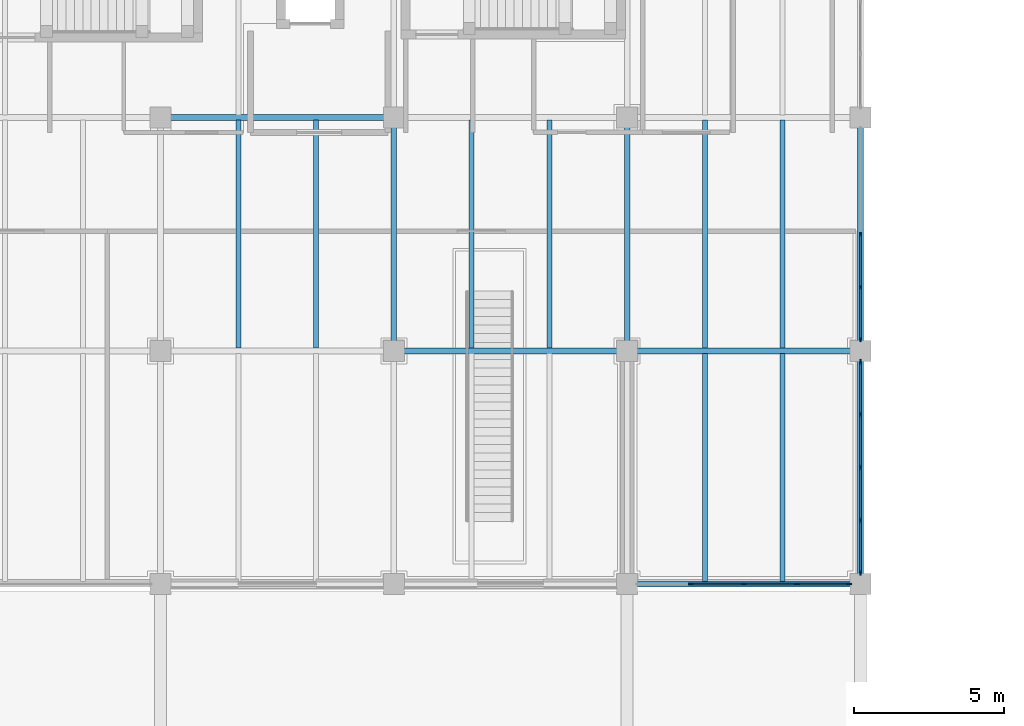
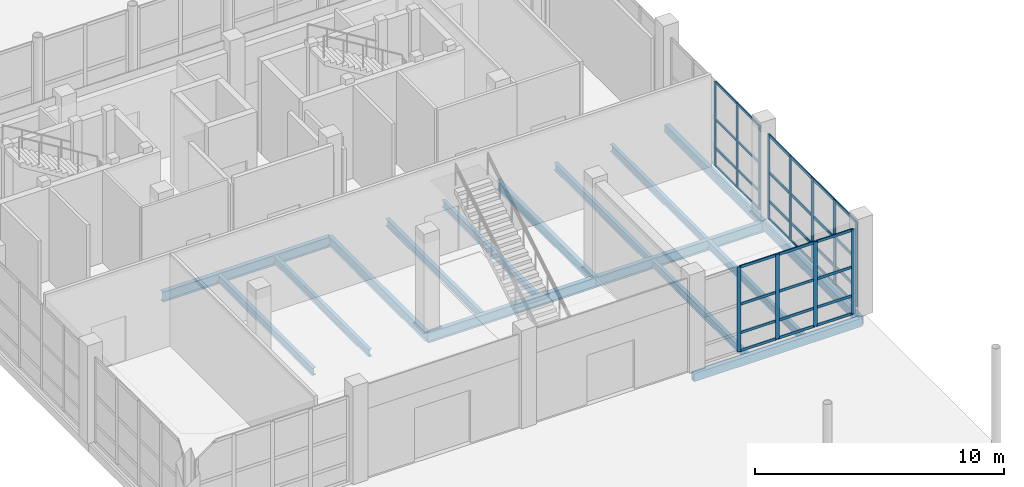
# One storey, part 37 of 131: 48 members, 16 beams, 3 elements without a shape of their own.
"""IFC4 building model written with IfcOpenShell, lengths in metres."""

from ifc_helpers import new_model, si_unit, direction, frame, origin, origin_2d, place, context, subcontext, project, spatial, rectangle, hollow_rectangle, i_section, extrude, material, layer, layer_set, material_profile, profile_set, type_object, element, aggregate, save


model = new_model("IFC4")

# Units and contexts
model_context = context("Model", 3, precision=1e-05, world=origin(), true_north=direction((0.0, 1.0)))
body_context = subcontext(model_context, "Body", "Model", "MODEL_VIEW")
ifc_project = project(units=[si_unit("LENGTHUNIT", "METRE"), si_unit("AREAUNIT", "SQUARE_METRE"), si_unit("VOLUMEUNIT", "CUBIC_METRE"), si_unit("PLANEANGLEUNIT", "RADIAN"), si_unit("MASSUNIT", "GRAM", prefix="KILO")], contexts=[model_context])

# Site, building, storey
site_placement = place(None, origin())
site = spatial("IfcSite", under=ifc_project, at=site_placement, CompositionType="ELEMENT")
building_placement = place(site_placement, origin())
building = spatial("IfcBuilding", under=site, at=building_placement, Name="Celorna Specialist Clinic", CompositionType="ELEMENT")
storey_placement = place(building_placement, origin())
storey = spatial("IfcBuildingStorey", under=building, at=storey_placement, Name="L00", CompositionType="ELEMENT", Elevation=0.0)

# Beams
ifc_material_1 = material(Name="Steel S355", Category="steel")
ifc_material_profile_1 = material_profile(ifc_material_1, i_section(OverallWidth=0.199951171875, OverallDepth=0.5, WebThickness=0.01025390625, FlangeThickness=0.01611328125, at=origin_2d()), Name="IPE 500")
ifc_profile_set_1 = profile_set([ifc_material_profile_1], Name="Steel S355")
beam_type_1 = type_object("IfcBeamType", Name="BM-08", PredefinedType="BEAM", material=ifc_profile_set_1)
for number, where, z_axis, x_axis, name in (
    (1, (70.199951171875, 27.300048828125, -0.550048828125), (1.0, 0.0, 0.0), (0.0, 1.0, 0.0), "Primary girder BM-08 #2020"),
    (2, (78.0, 27.300048828125, -0.550048828125), (1.0, 0.0, 0.0), (0.0, 1.0, 0.0), "Primary girder BM-08 #2021"),
    (3, (62.39990234375, 35.10009765625, -0.550048828125), (1.0, 0.0, 0.0), (0.0, 1.0, 0.0), "Primary girder BM-08 #2023"),
):
    element("IfcBeam", number, at=place(storey_placement, frame(where, z_axis=z_axis, x_axis=x_axis)), inside=storey, type_object=beam_type_1, Name=name, PredefinedType="BEAM", context=body_context, shape_type="SweptSolid", body=[
        extrude(i_section(OverallWidth=0.199951171875, OverallDepth=0.5, WebThickness=0.01025390625, FlangeThickness=0.01611328125, at=origin_2d()), origin(), (0.0, 0.0, 1.0), 7.800048828125),
    ])
ifc_material_profile_2 = material_profile(ifc_material_1, i_section(OverallWidth=0.18994140625, OverallDepth=0.449951171875, WebThickness=0.009521484375, FlangeThickness=0.0146484375, at=origin_2d()), Name="IPE 450")
ifc_profile_set_2 = profile_set([ifc_material_profile_2], Name="Steel S355")
beam_type_2 = type_object("IfcBeamType", Name="BM-09", PredefinedType="BEAM", material=ifc_profile_set_2)
for number, where, z_axis, x_axis, name in (
    (4, (70.199951171875, 27.300048828125, -0.52490234375), (0.0, 1.0, 0.0), (-1.0, 0.0, 0.0), "Transverse girder BM-09 #2036"),
    (5, (78.0, 27.300048828125, -0.52490234375), (0.0, 1.0, 0.0), (-1.0, 0.0, 0.0), "Transverse girder BM-09 #2039"),
):
    element("IfcBeam", number, at=place(storey_placement, frame(where, z_axis=z_axis, x_axis=x_axis)), inside=storey, type_object=beam_type_2, Name=name, PredefinedType="BEAM", context=body_context, shape_type="SweptSolid", body=[
        extrude(i_section(OverallWidth=0.18994140625, OverallDepth=0.449951171875, WebThickness=0.009521484375, FlangeThickness=0.0146484375, at=origin_2d()), origin(), (0.0, 0.0, 1.0), 7.800048828125),
    ])
ifc_material_profile_3 = material_profile(ifc_material_1, i_section(OverallWidth=0.169921875, OverallDepth=0.360107421875, WebThickness=0.008056640625, FlangeThickness=0.0126953125, at=origin_2d()), Name="IPE 360")
ifc_profile_set_3 = profile_set([ifc_material_profile_3], Name="Steel S355")
beam_type_3 = type_object("IfcBeamType", Name="BM-11", PredefinedType="JOIST", material=ifc_profile_set_3)
for number, where, z_axis, x_axis, name in (
    (6, (65.0, 27.387939453125, -0.47998046875), (0.0, 1.0, 0.0), (-1.0, 0.0, 0.0), "Secondary floor joist BM-11 #2051"),
    (7, (67.60009765625, 27.387939453125, -0.47998046875), (0.0, 1.0, 0.0), (-1.0, 0.0, 0.0), "Secondary floor joist BM-11 #2052"),
    (8, (72.800048828125, 27.387939453125, -0.47998046875), (0.0, 1.0, 0.0), (-1.0, 0.0, 0.0), "Secondary floor joist BM-11 #2056"),
    (9, (75.39990234375, 27.387939453125, -0.47998046875), (0.0, 1.0, 0.0), (-1.0, 0.0, 0.0), "Secondary floor joist BM-11 #2057"),
    (10, (80.60009765625, 19.587890625, -0.47998046875), (0.0, 1.0, 0.0), (-1.0, 0.0, 0.0), "Secondary floor joist BM-11 #2058"),
    (11, (83.199951171875, 19.587890625, -0.47998046875), (0.0, 1.0, 0.0), (-1.0, 0.0, 0.0), "Secondary floor joist BM-11 #2059"),
    (12, (80.60009765625, 27.387939453125, -0.47998046875), (0.0, 1.0, 0.0), (-1.0, 0.0, 0.0), "Secondary floor joist BM-11 #2060"),
    (13, (83.199951171875, 27.387939453125, -0.47998046875), (0.0, 1.0, 0.0), (-1.0, 0.0, 0.0), "Secondary floor joist BM-11 #2061"),
):
    element("IfcBeam", number, at=place(storey_placement, frame(where, z_axis=z_axis, x_axis=x_axis)), inside=storey, type_object=beam_type_3, Name=name, PredefinedType="JOIST", context=body_context, shape_type="SweptSolid", body=[
        extrude(i_section(OverallWidth=0.169921875, OverallDepth=0.360107421875, WebThickness=0.008056640625, FlangeThickness=0.0126953125, at=origin_2d()), origin(), (0.0, 0.0, 1.0), 7.6240234375),
    ])
ifc_material_profile_4 = material_profile(ifc_material_1, hollow_rectangle(XDim=0.199951171875, YDim=0.39990234375, WallThickness=0.011962890625, at=origin_2d()), Name="RHS 200x400x12")
ifc_profile_set_4 = profile_set([ifc_material_profile_4], Name="Steel S355")
beam_type_4 = type_object("IfcBeamType", Name="BM-15", PredefinedType="SPANDREL", material=ifc_profile_set_4)
for number, where, z_axis, x_axis, name in (
    (14, (78.0, 19.5, -0.5), (1.0, 0.0, 0.0), (0.0, 1.0, 0.0), "Spandrel beam BM-15 #2017"),
    (15, (85.800048828125, 19.5, -0.5), (0.0, 1.0, 0.0), (-1.0, 0.0, 0.0), "Spandrel beam BM-15 #2041"),
    (16, (85.800048828125, 27.300048828125, -0.5), (0.0, 1.0, 0.0), (-1.0, 0.0, 0.0), "Spandrel beam BM-15 #2042"),
):
    element("IfcBeam", number, at=place(storey_placement, frame(where, z_axis=z_axis, x_axis=x_axis)), inside=storey, type_object=beam_type_4, Name=name, PredefinedType="SPANDREL", context=body_context, shape_type="SweptSolid", body=[
        extrude(hollow_rectangle(XDim=0.199951171875, YDim=0.39990234375, WallThickness=0.011962890625, at=origin_2d()), origin(), (0.0, 0.0, 1.0), 7.800048828125),
    ])

# Curtain wall, members
ifc_material_2 = material(Name="Thermally broken aluminium and solar-control glass curtain wall", Category="aluminium")
ifc_layer_1 = layer(ifc_material_2, 0.159912109375, Name="Thermally broken aluminium and solar-control glass curtain wall")
ifc_layer_set_1 = layer_set([ifc_layer_1], Name="Thermally broken aluminium and solar-control glass curtain wall")
curtain_wall_type_1 = type_object("IfcCurtainWallType", Name="CW-102", PredefinedType="NOTDEFINED", material=ifc_layer_set_1)
curtain_wall_1_placement = place(storey_placement, origin())
curtain_wall_1 = element("IfcCurtainWall", 17, at=curtain_wall_1_placement, inside=storey, type_object=curtain_wall_type_1, Name="Curtain wall CW-102 #180", PredefinedType="NOTDEFINED")
ifc_material_3 = material(Name="Anodized aluminium mullion", Category="aluminium")
ifc_material_profile_5 = material_profile(ifc_material_3, rectangle(XDim=0.050048828125, YDim=0.179931640625, at=origin_2d()), Name="ALU MULLION 50x180")
ifc_profile_set_5 = profile_set([ifc_material_profile_5], Name="Anodized aluminium mullion")
member_type_1 = type_object("IfcMemberType", Name="ML-02", PredefinedType="MULLION", material=ifc_profile_set_5)
member_1_placement = place(storey_placement, frame((85.4208984375, 19.5, 0.0), z_axis=(0.0, 0.0, 1.0), x_axis=(0.0, -1.0, 0.0)))
member_1 = element("IfcMember", 18, at=member_1_placement, type_object=member_type_1, Name="CW-102 mullion 1", PredefinedType="MULLION", context=body_context, shape_type="SweptSolid", body=[
    extrude(rectangle(XDim=0.050048828125, YDim=0.179931640625, at=origin_2d()), origin(), (0.0, 0.0, 1.0), 4.139892578125),
])
member_2_placement = place(storey_placement, frame((83.673095703125, 19.5, 0.0), z_axis=(0.0, 0.0, 1.0), x_axis=(0.0, -1.0, 0.0)))
member_2 = element("IfcMember", 19, at=member_2_placement, type_object=member_type_1, Name="CW-102 mullion 2", PredefinedType="MULLION", context=body_context, shape_type="SweptSolid", body=[
    extrude(rectangle(XDim=0.050048828125, YDim=0.179931640625, at=origin_2d()), origin(), (0.0, 0.0, 1.0), 4.139892578125),
])
member_3_placement = place(storey_placement, frame((81.89990234375, 19.5, 0.0), z_axis=(0.0, 0.0, 1.0), x_axis=(0.0, -1.0, 0.0)))
member_3 = element("IfcMember", 20, at=member_3_placement, type_object=member_type_1, Name="CW-102 mullion 3", PredefinedType="MULLION", context=body_context, shape_type="SweptSolid", body=[
    extrude(rectangle(XDim=0.050048828125, YDim=0.179931640625, at=origin_2d()), origin(), (0.0, 0.0, 1.0), 4.139892578125),
])
member_4_placement = place(storey_placement, frame((80.126953125, 19.5, 0.0), z_axis=(0.0, 0.0, 1.0), x_axis=(0.0, -1.0, 0.0)))
member_4 = element("IfcMember", 21, at=member_4_placement, type_object=member_type_1, Name="CW-102 mullion 4", PredefinedType="MULLION", context=body_context, shape_type="SweptSolid", body=[
    extrude(rectangle(XDim=0.050048828125, YDim=0.179931640625, at=origin_2d()), origin(), (0.0, 0.0, 1.0), 4.139892578125),
])

curtain_wall_2_placement = place(storey_placement, origin())
curtain_wall_2 = element("IfcCurtainWall", 22, at=curtain_wall_2_placement, inside=storey, type_object=curtain_wall_type_1, Name="Curtain wall CW-102 #183", PredefinedType="NOTDEFINED")
member_5_placement = place(storey_placement, frame((85.800048828125, 26.9208984375, 0.0), z_axis=(0.0, 0.0, 1.0), x_axis=(1.0, 0.0, 0.0)))
member_5 = element("IfcMember", 23, at=member_5_placement, type_object=member_type_1, Name="CW-102 mullion 1", PredefinedType="MULLION", context=body_context, shape_type="SweptSolid", body=[
    extrude(rectangle(XDim=0.050048828125, YDim=0.179931640625, at=origin_2d()), origin(), (0.0, 0.0, 1.0), 4.139892578125),
])
member_6_placement = place(storey_placement, frame((85.800048828125, 25.173095703125, 0.0), z_axis=(0.0, 0.0, 1.0), x_axis=(1.0, 0.0, 0.0)))
member_6 = element("IfcMember", 24, at=member_6_placement, type_object=member_type_1, Name="CW-102 mullion 2", PredefinedType="MULLION", context=body_context, shape_type="SweptSolid", body=[
    extrude(rectangle(XDim=0.050048828125, YDim=0.179931640625, at=origin_2d()), origin(), (0.0, 0.0, 1.0), 4.139892578125),
])
member_7_placement = place(storey_placement, frame((85.800048828125, 23.39990234375, 0.0), z_axis=(0.0, 0.0, 1.0), x_axis=(1.0, 0.0, 0.0)))
member_7 = element("IfcMember", 25, at=member_7_placement, type_object=member_type_1, Name="CW-102 mullion 3", PredefinedType="MULLION", context=body_context, shape_type="SweptSolid", body=[
    extrude(rectangle(XDim=0.050048828125, YDim=0.179931640625, at=origin_2d()), origin(), (0.0, 0.0, 1.0), 4.139892578125),
])
member_8_placement = place(storey_placement, frame((85.800048828125, 21.626953125, 0.0), z_axis=(0.0, 0.0, 1.0), x_axis=(1.0, 0.0, 0.0)))
member_8 = element("IfcMember", 26, at=member_8_placement, type_object=member_type_1, Name="CW-102 mullion 4", PredefinedType="MULLION", context=body_context, shape_type="SweptSolid", body=[
    extrude(rectangle(XDim=0.050048828125, YDim=0.179931640625, at=origin_2d()), origin(), (0.0, 0.0, 1.0), 4.139892578125),
])
member_9_placement = place(storey_placement, frame((85.800048828125, 19.87890625, 0.0), z_axis=(0.0, 0.0, 1.0), x_axis=(1.0, 0.0, 0.0)))
member_9 = element("IfcMember", 27, at=member_9_placement, type_object=member_type_1, Name="CW-102 mullion 5", PredefinedType="MULLION", context=body_context, shape_type="SweptSolid", body=[
    extrude(rectangle(XDim=0.050048828125, YDim=0.179931640625, at=origin_2d()), origin(), (0.0, 0.0, 1.0), 4.139892578125),
])

ifc_layer_2 = layer(ifc_material_2, 0.159912109375, Name="Thermally broken aluminium and solar-control glass curtain wall")
ifc_layer_set_2 = layer_set([ifc_layer_2], Name="Thermally broken aluminium and solar-control glass curtain wall")
curtain_wall_type_2 = type_object("IfcCurtainWallType", Name="CW-103", PredefinedType="NOTDEFINED", material=ifc_layer_set_2)
curtain_wall_3_placement = place(storey_placement, origin())
curtain_wall_3 = element("IfcCurtainWall", 28, at=curtain_wall_3_placement, inside=storey, type_object=curtain_wall_type_2, Name="Curtain wall CW-103 #184", PredefinedType="NOTDEFINED")
ifc_material_profile_6 = material_profile(ifc_material_3, rectangle(XDim=0.050048828125, YDim=0.139892578125, at=origin_2d()), Name="ALU MULLION 50x140")
ifc_profile_set_6 = profile_set([ifc_material_profile_6], Name="Anodized aluminium mullion")
member_type_2 = type_object("IfcMemberType", Name="ML-03", PredefinedType="MULLION", material=ifc_profile_set_6)
member_10_placement = place(storey_placement, frame((85.800048828125, 31.199951171875, 0.0), z_axis=(0.0, 0.0, 1.0), x_axis=(1.0, 0.0, 0.0)))
member_10 = element("IfcMember", 29, at=member_10_placement, type_object=member_type_2, Name="CW-103 mullion 3", PredefinedType="MULLION", context=body_context, shape_type="SweptSolid", body=[
    extrude(rectangle(XDim=0.050048828125, YDim=0.139892578125, at=origin_2d()), origin(), (0.0, 0.0, 1.0), 4.139892578125),
])
member_11_placement = place(storey_placement, frame((85.800048828125, 29.427001953125, 0.0), z_axis=(0.0, 0.0, 1.0), x_axis=(1.0, 0.0, 0.0)))
member_11 = element("IfcMember", 30, at=member_11_placement, type_object=member_type_2, Name="CW-103 mullion 4", PredefinedType="MULLION", context=body_context, shape_type="SweptSolid", body=[
    extrude(rectangle(XDim=0.050048828125, YDim=0.139892578125, at=origin_2d()), origin(), (0.0, 0.0, 1.0), 4.139892578125),
])
member_12_placement = place(storey_placement, frame((85.800048828125, 27.678955078125, 0.0), z_axis=(0.0, 0.0, 1.0), x_axis=(1.0, 0.0, 0.0)))
member_12 = element("IfcMember", 31, at=member_12_placement, type_object=member_type_2, Name="CW-103 mullion 5", PredefinedType="MULLION", context=body_context, shape_type="SweptSolid", body=[
    extrude(rectangle(XDim=0.050048828125, YDim=0.139892578125, at=origin_2d()), origin(), (0.0, 0.0, 1.0), 4.139892578125),
])

# Member
ifc_material_4 = material(Name="Anodized aluminium transom", Category="aluminium")
ifc_material_profile_7 = material_profile(ifc_material_4, rectangle(XDim=0.050048828125, YDim=0.1298828125, at=origin_2d()), Name="ALU TRANSOM 50x130")
ifc_profile_set_7 = profile_set([ifc_material_profile_7], Name="Anodized aluminium transom")
member_type_3 = type_object("IfcMemberType", Name="TR-01", PredefinedType="USERDEFINED", material=ifc_profile_set_7)
member_13_placement = place(storey_placement, frame((85.39599609375, 19.5, 0.02490234375), z_axis=(-1.0, 0.0, 0.0), x_axis=(0.0, -1.0, 0.0)))
member_13 = element("IfcMember", 32, at=member_13_placement, type_object=member_type_3, Name="CW-102 transom 1.1", ObjectType="TRANSOM", PredefinedType="USERDEFINED", context=body_context, shape_type="SweptSolid", body=[
    extrude(rectangle(XDim=0.050048828125, YDim=0.1298828125, at=origin_2d()), origin(), (0.0, 0.0, 1.0), 1.697998046875),
])

member_14_placement = place(storey_placement, frame((85.39599609375, 19.5, 0.89990234375), z_axis=(-1.0, 0.0, 0.0), x_axis=(0.0, -1.0, 0.0)))
member_14 = element("IfcMember", 33, at=member_14_placement, type_object=member_type_3, Name="CW-102 transom 1.2", ObjectType="TRANSOM", PredefinedType="USERDEFINED", context=body_context, shape_type="SweptSolid", body=[
    extrude(rectangle(XDim=0.050048828125, YDim=0.1298828125, at=origin_2d()), origin(), (0.0, 0.0, 1.0), 1.697998046875),
])

member_15_placement = place(storey_placement, frame((85.39599609375, 19.5, 2.300048828125), z_axis=(-1.0, 0.0, 0.0), x_axis=(0.0, -1.0, 0.0)))
member_15 = element("IfcMember", 34, at=member_15_placement, type_object=member_type_3, Name="CW-102 transom 1.3", ObjectType="TRANSOM", PredefinedType="USERDEFINED", context=body_context, shape_type="SweptSolid", body=[
    extrude(rectangle(XDim=0.050048828125, YDim=0.1298828125, at=origin_2d()), origin(), (0.0, 0.0, 1.0), 1.697998046875),
])

member_16_placement = place(storey_placement, frame((85.39599609375, 19.5, 4.114990234375), z_axis=(-1.0, 0.0, 0.0), x_axis=(0.0, -1.0, 0.0)))
member_16 = element("IfcMember", 35, at=member_16_placement, type_object=member_type_3, Name="CW-102 transom 1.4", ObjectType="TRANSOM", PredefinedType="USERDEFINED", context=body_context, shape_type="SweptSolid", body=[
    extrude(rectangle(XDim=0.050048828125, YDim=0.1298828125, at=origin_2d()), origin(), (0.0, 0.0, 1.0), 1.697998046875),
])

member_17_placement = place(storey_placement, frame((83.64794921875, 19.5, 0.02490234375), z_axis=(-1.0, 0.0, 0.0), x_axis=(0.0, -1.0, 0.0)))
member_17 = element("IfcMember", 36, at=member_17_placement, type_object=member_type_3, Name="CW-102 transom 2.1", ObjectType="TRANSOM", PredefinedType="USERDEFINED", context=body_context, shape_type="SweptSolid", body=[
    extrude(rectangle(XDim=0.050048828125, YDim=0.1298828125, at=origin_2d()), origin(), (0.0, 0.0, 1.0), 1.722900390625),
])

member_18_placement = place(storey_placement, frame((83.64794921875, 19.5, 0.89990234375), z_axis=(-1.0, 0.0, 0.0), x_axis=(0.0, -1.0, 0.0)))
member_18 = element("IfcMember", 37, at=member_18_placement, type_object=member_type_3, Name="CW-102 transom 2.2", ObjectType="TRANSOM", PredefinedType="USERDEFINED", context=body_context, shape_type="SweptSolid", body=[
    extrude(rectangle(XDim=0.050048828125, YDim=0.1298828125, at=origin_2d()), origin(), (0.0, 0.0, 1.0), 1.722900390625),
])

member_19_placement = place(storey_placement, frame((83.64794921875, 19.5, 2.300048828125), z_axis=(-1.0, 0.0, 0.0), x_axis=(0.0, -1.0, 0.0)))
member_19 = element("IfcMember", 38, at=member_19_placement, type_object=member_type_3, Name="CW-102 transom 2.3", ObjectType="TRANSOM", PredefinedType="USERDEFINED", context=body_context, shape_type="SweptSolid", body=[
    extrude(rectangle(XDim=0.050048828125, YDim=0.1298828125, at=origin_2d()), origin(), (0.0, 0.0, 1.0), 1.722900390625),
])

member_20_placement = place(storey_placement, frame((83.64794921875, 19.5, 4.114990234375), z_axis=(-1.0, 0.0, 0.0), x_axis=(0.0, -1.0, 0.0)))
member_20 = element("IfcMember", 39, at=member_20_placement, type_object=member_type_3, Name="CW-102 transom 2.4", ObjectType="TRANSOM", PredefinedType="USERDEFINED", context=body_context, shape_type="SweptSolid", body=[
    extrude(rectangle(XDim=0.050048828125, YDim=0.1298828125, at=origin_2d()), origin(), (0.0, 0.0, 1.0), 1.722900390625),
])

member_21_placement = place(storey_placement, frame((81.875, 19.5, 0.02490234375), z_axis=(-1.0, 0.0, 0.0), x_axis=(0.0, -1.0, 0.0)))
member_21 = element("IfcMember", 40, at=member_21_placement, type_object=member_type_3, Name="CW-102 transom 3.1", ObjectType="TRANSOM", PredefinedType="USERDEFINED", context=body_context, shape_type="SweptSolid", body=[
    extrude(rectangle(XDim=0.050048828125, YDim=0.1298828125, at=origin_2d()), origin(), (0.0, 0.0, 1.0), 1.722900390625),
])

member_22_placement = place(storey_placement, frame((81.875, 19.5, 0.89990234375), z_axis=(-1.0, 0.0, 0.0), x_axis=(0.0, -1.0, 0.0)))
member_22 = element("IfcMember", 41, at=member_22_placement, type_object=member_type_3, Name="CW-102 transom 3.2", ObjectType="TRANSOM", PredefinedType="USERDEFINED", context=body_context, shape_type="SweptSolid", body=[
    extrude(rectangle(XDim=0.050048828125, YDim=0.1298828125, at=origin_2d()), origin(), (0.0, 0.0, 1.0), 1.722900390625),
])

member_23_placement = place(storey_placement, frame((81.875, 19.5, 2.300048828125), z_axis=(-1.0, 0.0, 0.0), x_axis=(0.0, -1.0, 0.0)))
member_23 = element("IfcMember", 42, at=member_23_placement, type_object=member_type_3, Name="CW-102 transom 3.3", ObjectType="TRANSOM", PredefinedType="USERDEFINED", context=body_context, shape_type="SweptSolid", body=[
    extrude(rectangle(XDim=0.050048828125, YDim=0.1298828125, at=origin_2d()), origin(), (0.0, 0.0, 1.0), 1.722900390625),
])

member_24_placement = place(storey_placement, frame((81.875, 19.5, 4.114990234375), z_axis=(-1.0, 0.0, 0.0), x_axis=(0.0, -1.0, 0.0)))
member_24 = element("IfcMember", 43, at=member_24_placement, type_object=member_type_3, Name="CW-102 transom 3.4", ObjectType="TRANSOM", PredefinedType="USERDEFINED", context=body_context, shape_type="SweptSolid", body=[
    extrude(rectangle(XDim=0.050048828125, YDim=0.1298828125, at=origin_2d()), origin(), (0.0, 0.0, 1.0), 1.722900390625),
])

aggregate(curtain_wall_1, [member_1, member_2, member_3, member_4, member_13, member_14, member_15, member_16, member_17, member_18, member_19, member_20, member_21, member_22, member_23, member_24])

member_25_placement = place(storey_placement, frame((85.800048828125, 31.175048828125, 0.02490234375), z_axis=(0.0, -1.0, 0.0), x_axis=(1.0, 0.0, 0.0)))
member_25 = element("IfcMember", 44, at=member_25_placement, type_object=member_type_3, Name="CW-103 transom 3.1", ObjectType="TRANSOM", PredefinedType="USERDEFINED", context=body_context, shape_type="SweptSolid", body=[
    extrude(rectangle(XDim=0.050048828125, YDim=0.1298828125, at=origin_2d()), origin(), (0.0, 0.0, 1.0), 1.72314453125),
])

member_26_placement = place(storey_placement, frame((85.800048828125, 31.175048828125, 0.89990234375), z_axis=(0.0, -1.0, 0.0), x_axis=(1.0, 0.0, 0.0)))
member_26 = element("IfcMember", 45, at=member_26_placement, type_object=member_type_3, Name="CW-103 transom 3.2", ObjectType="TRANSOM", PredefinedType="USERDEFINED", context=body_context, shape_type="SweptSolid", body=[
    extrude(rectangle(XDim=0.050048828125, YDim=0.1298828125, at=origin_2d()), origin(), (0.0, 0.0, 1.0), 1.72314453125),
])

member_27_placement = place(storey_placement, frame((85.800048828125, 31.175048828125, 2.300048828125), z_axis=(0.0, -1.0, 0.0), x_axis=(1.0, 0.0, 0.0)))
member_27 = element("IfcMember", 46, at=member_27_placement, type_object=member_type_3, Name="CW-103 transom 3.3", ObjectType="TRANSOM", PredefinedType="USERDEFINED", context=body_context, shape_type="SweptSolid", body=[
    extrude(rectangle(XDim=0.050048828125, YDim=0.1298828125, at=origin_2d()), origin(), (0.0, 0.0, 1.0), 1.72314453125),
])

member_28_placement = place(storey_placement, frame((85.800048828125, 31.175048828125, 4.114990234375), z_axis=(0.0, -1.0, 0.0), x_axis=(1.0, 0.0, 0.0)))
member_28 = element("IfcMember", 47, at=member_28_placement, type_object=member_type_3, Name="CW-103 transom 3.4", ObjectType="TRANSOM", PredefinedType="USERDEFINED", context=body_context, shape_type="SweptSolid", body=[
    extrude(rectangle(XDim=0.050048828125, YDim=0.1298828125, at=origin_2d()), origin(), (0.0, 0.0, 1.0), 1.72314453125),
])

member_29_placement = place(storey_placement, frame((85.800048828125, 29.402099609375, 0.02490234375), z_axis=(0.0, -1.0, 0.0), x_axis=(1.0, 0.0, 0.0)))
member_29 = element("IfcMember", 48, at=member_29_placement, type_object=member_type_3, Name="CW-103 transom 4.1", ObjectType="TRANSOM", PredefinedType="USERDEFINED", context=body_context, shape_type="SweptSolid", body=[
    extrude(rectangle(XDim=0.050048828125, YDim=0.1298828125, at=origin_2d()), origin(), (0.0, 0.0, 1.0), 1.697998046875),
])

member_30_placement = place(storey_placement, frame((85.800048828125, 29.402099609375, 0.89990234375), z_axis=(0.0, -1.0, 0.0), x_axis=(1.0, 0.0, 0.0)))
member_30 = element("IfcMember", 49, at=member_30_placement, type_object=member_type_3, Name="CW-103 transom 4.2", ObjectType="TRANSOM", PredefinedType="USERDEFINED", context=body_context, shape_type="SweptSolid", body=[
    extrude(rectangle(XDim=0.050048828125, YDim=0.1298828125, at=origin_2d()), origin(), (0.0, 0.0, 1.0), 1.697998046875),
])

member_31_placement = place(storey_placement, frame((85.800048828125, 29.402099609375, 2.300048828125), z_axis=(0.0, -1.0, 0.0), x_axis=(1.0, 0.0, 0.0)))
member_31 = element("IfcMember", 50, at=member_31_placement, type_object=member_type_3, Name="CW-103 transom 4.3", ObjectType="TRANSOM", PredefinedType="USERDEFINED", context=body_context, shape_type="SweptSolid", body=[
    extrude(rectangle(XDim=0.050048828125, YDim=0.1298828125, at=origin_2d()), origin(), (0.0, 0.0, 1.0), 1.697998046875),
])

member_32_placement = place(storey_placement, frame((85.800048828125, 29.402099609375, 4.114990234375), z_axis=(0.0, -1.0, 0.0), x_axis=(1.0, 0.0, 0.0)))
member_32 = element("IfcMember", 51, at=member_32_placement, type_object=member_type_3, Name="CW-103 transom 4.4", ObjectType="TRANSOM", PredefinedType="USERDEFINED", context=body_context, shape_type="SweptSolid", body=[
    extrude(rectangle(XDim=0.050048828125, YDim=0.1298828125, at=origin_2d()), origin(), (0.0, 0.0, 1.0), 1.697998046875),
])

aggregate(curtain_wall_3, [member_10, member_11, member_12, member_25, member_26, member_27, member_28, member_29, member_30, member_31, member_32])

ifc_material_profile_8 = material_profile(ifc_material_4, rectangle(XDim=0.050048828125, YDim=0.14990234375, at=origin_2d()), Name="ALU TRANSOM 50x150")
ifc_profile_set_8 = profile_set([ifc_material_profile_8], Name="Anodized aluminium transom")
member_type_4 = type_object("IfcMemberType", Name="TR-02", PredefinedType="USERDEFINED", material=ifc_profile_set_8)
member_33_placement = place(storey_placement, frame((85.800048828125, 26.89599609375, 0.02490234375), z_axis=(0.0, -1.0, 0.0), x_axis=(1.0, 0.0, 0.0)))
member_33 = element("IfcMember", 52, at=member_33_placement, type_object=member_type_4, Name="CW-102 transom 1.1", ObjectType="TRANSOM", PredefinedType="USERDEFINED", context=body_context, shape_type="SweptSolid", body=[
    extrude(rectangle(XDim=0.050048828125, YDim=0.14990234375, at=origin_2d()), origin(), (0.0, 0.0, 1.0), 1.697998046875),
])

member_34_placement = place(storey_placement, frame((85.800048828125, 26.89599609375, 0.89990234375), z_axis=(0.0, -1.0, 0.0), x_axis=(1.0, 0.0, 0.0)))
member_34 = element("IfcMember", 53, at=member_34_placement, type_object=member_type_4, Name="CW-102 transom 1.2", ObjectType="TRANSOM", PredefinedType="USERDEFINED", context=body_context, shape_type="SweptSolid", body=[
    extrude(rectangle(XDim=0.050048828125, YDim=0.14990234375, at=origin_2d()), origin(), (0.0, 0.0, 1.0), 1.697998046875),
])

member_35_placement = place(storey_placement, frame((85.800048828125, 26.89599609375, 2.300048828125), z_axis=(0.0, -1.0, 0.0), x_axis=(1.0, 0.0, 0.0)))
member_35 = element("IfcMember", 54, at=member_35_placement, type_object=member_type_4, Name="CW-102 transom 1.3", ObjectType="TRANSOM", PredefinedType="USERDEFINED", context=body_context, shape_type="SweptSolid", body=[
    extrude(rectangle(XDim=0.050048828125, YDim=0.14990234375, at=origin_2d()), origin(), (0.0, 0.0, 1.0), 1.697998046875),
])

member_36_placement = place(storey_placement, frame((85.800048828125, 26.89599609375, 4.114990234375), z_axis=(0.0, -1.0, 0.0), x_axis=(1.0, 0.0, 0.0)))
member_36 = element("IfcMember", 55, at=member_36_placement, type_object=member_type_4, Name="CW-102 transom 1.4", ObjectType="TRANSOM", PredefinedType="USERDEFINED", context=body_context, shape_type="SweptSolid", body=[
    extrude(rectangle(XDim=0.050048828125, YDim=0.14990234375, at=origin_2d()), origin(), (0.0, 0.0, 1.0), 1.697998046875),
])

member_37_placement = place(storey_placement, frame((85.800048828125, 25.14794921875, 0.02490234375), z_axis=(0.0, -1.0, 0.0), x_axis=(1.0, 0.0, 0.0)))
member_37 = element("IfcMember", 56, at=member_37_placement, type_object=member_type_4, Name="CW-102 transom 2.1", ObjectType="TRANSOM", PredefinedType="USERDEFINED", context=body_context, shape_type="SweptSolid", body=[
    extrude(rectangle(XDim=0.050048828125, YDim=0.14990234375, at=origin_2d()), origin(), (0.0, 0.0, 1.0), 1.722900390625),
])

member_38_placement = place(storey_placement, frame((85.800048828125, 25.14794921875, 0.89990234375), z_axis=(0.0, -1.0, 0.0), x_axis=(1.0, 0.0, 0.0)))
member_38 = element("IfcMember", 57, at=member_38_placement, type_object=member_type_4, Name="CW-102 transom 2.2", ObjectType="TRANSOM", PredefinedType="USERDEFINED", context=body_context, shape_type="SweptSolid", body=[
    extrude(rectangle(XDim=0.050048828125, YDim=0.14990234375, at=origin_2d()), origin(), (0.0, 0.0, 1.0), 1.722900390625),
])

member_39_placement = place(storey_placement, frame((85.800048828125, 25.14794921875, 2.300048828125), z_axis=(0.0, -1.0, 0.0), x_axis=(1.0, 0.0, 0.0)))
member_39 = element("IfcMember", 58, at=member_39_placement, type_object=member_type_4, Name="CW-102 transom 2.3", ObjectType="TRANSOM", PredefinedType="USERDEFINED", context=body_context, shape_type="SweptSolid", body=[
    extrude(rectangle(XDim=0.050048828125, YDim=0.14990234375, at=origin_2d()), origin(), (0.0, 0.0, 1.0), 1.722900390625),
])

member_40_placement = place(storey_placement, frame((85.800048828125, 25.14794921875, 4.114990234375), z_axis=(0.0, -1.0, 0.0), x_axis=(1.0, 0.0, 0.0)))
member_40 = element("IfcMember", 59, at=member_40_placement, type_object=member_type_4, Name="CW-102 transom 2.4", ObjectType="TRANSOM", PredefinedType="USERDEFINED", context=body_context, shape_type="SweptSolid", body=[
    extrude(rectangle(XDim=0.050048828125, YDim=0.14990234375, at=origin_2d()), origin(), (0.0, 0.0, 1.0), 1.722900390625),
])

member_41_placement = place(storey_placement, frame((85.800048828125, 23.375, 0.02490234375), z_axis=(0.0, -1.0, 0.0), x_axis=(1.0, 0.0, 0.0)))
member_41 = element("IfcMember", 60, at=member_41_placement, type_object=member_type_4, Name="CW-102 transom 3.1", ObjectType="TRANSOM", PredefinedType="USERDEFINED", context=body_context, shape_type="SweptSolid", body=[
    extrude(rectangle(XDim=0.050048828125, YDim=0.14990234375, at=origin_2d()), origin(), (0.0, 0.0, 1.0), 1.722900390625),
])

member_42_placement = place(storey_placement, frame((85.800048828125, 23.375, 0.89990234375), z_axis=(0.0, -1.0, 0.0), x_axis=(1.0, 0.0, 0.0)))
member_42 = element("IfcMember", 61, at=member_42_placement, type_object=member_type_4, Name="CW-102 transom 3.2", ObjectType="TRANSOM", PredefinedType="USERDEFINED", context=body_context, shape_type="SweptSolid", body=[
    extrude(rectangle(XDim=0.050048828125, YDim=0.14990234375, at=origin_2d()), origin(), (0.0, 0.0, 1.0), 1.722900390625),
])

member_43_placement = place(storey_placement, frame((85.800048828125, 23.375, 2.300048828125), z_axis=(0.0, -1.0, 0.0), x_axis=(1.0, 0.0, 0.0)))
member_43 = element("IfcMember", 62, at=member_43_placement, type_object=member_type_4, Name="CW-102 transom 3.3", ObjectType="TRANSOM", PredefinedType="USERDEFINED", context=body_context, shape_type="SweptSolid", body=[
    extrude(rectangle(XDim=0.050048828125, YDim=0.14990234375, at=origin_2d()), origin(), (0.0, 0.0, 1.0), 1.722900390625),
])

member_44_placement = place(storey_placement, frame((85.800048828125, 23.375, 4.114990234375), z_axis=(0.0, -1.0, 0.0), x_axis=(1.0, 0.0, 0.0)))
member_44 = element("IfcMember", 63, at=member_44_placement, type_object=member_type_4, Name="CW-102 transom 3.4", ObjectType="TRANSOM", PredefinedType="USERDEFINED", context=body_context, shape_type="SweptSolid", body=[
    extrude(rectangle(XDim=0.050048828125, YDim=0.14990234375, at=origin_2d()), origin(), (0.0, 0.0, 1.0), 1.722900390625),
])

member_45_placement = place(storey_placement, frame((85.800048828125, 21.60205078125, 0.02490234375), z_axis=(0.0, -1.0, 0.0), x_axis=(1.0, 0.0, 0.0)))
member_45 = element("IfcMember", 64, at=member_45_placement, type_object=member_type_4, Name="CW-102 transom 4.1", ObjectType="TRANSOM", PredefinedType="USERDEFINED", context=body_context, shape_type="SweptSolid", body=[
    extrude(rectangle(XDim=0.050048828125, YDim=0.14990234375, at=origin_2d()), origin(), (0.0, 0.0, 1.0), 1.697998046875),
])

member_46_placement = place(storey_placement, frame((85.800048828125, 21.60205078125, 0.89990234375), z_axis=(0.0, -1.0, 0.0), x_axis=(1.0, 0.0, 0.0)))
member_46 = element("IfcMember", 65, at=member_46_placement, type_object=member_type_4, Name="CW-102 transom 4.2", ObjectType="TRANSOM", PredefinedType="USERDEFINED", context=body_context, shape_type="SweptSolid", body=[
    extrude(rectangle(XDim=0.050048828125, YDim=0.14990234375, at=origin_2d()), origin(), (0.0, 0.0, 1.0), 1.697998046875),
])

member_47_placement = place(storey_placement, frame((85.800048828125, 21.60205078125, 2.300048828125), z_axis=(0.0, -1.0, 0.0), x_axis=(1.0, 0.0, 0.0)))
member_47 = element("IfcMember", 66, at=member_47_placement, type_object=member_type_4, Name="CW-102 transom 4.3", ObjectType="TRANSOM", PredefinedType="USERDEFINED", context=body_context, shape_type="SweptSolid", body=[
    extrude(rectangle(XDim=0.050048828125, YDim=0.14990234375, at=origin_2d()), origin(), (0.0, 0.0, 1.0), 1.697998046875),
])

member_48_placement = place(storey_placement, frame((85.800048828125, 21.60205078125, 4.114990234375), z_axis=(0.0, -1.0, 0.0), x_axis=(1.0, 0.0, 0.0)))
member_48 = element("IfcMember", 67, at=member_48_placement, type_object=member_type_4, Name="CW-102 transom 4.4", ObjectType="TRANSOM", PredefinedType="USERDEFINED", context=body_context, shape_type="SweptSolid", body=[
    extrude(rectangle(XDim=0.050048828125, YDim=0.14990234375, at=origin_2d()), origin(), (0.0, 0.0, 1.0), 1.697998046875),
])

aggregate(curtain_wall_2, [member_5, member_6, member_7, member_8, member_9, member_33, member_34, member_35, member_36, member_37, member_38, member_39, member_40, member_41, member_42, member_43, member_44, member_45, member_46, member_47, member_48])

save(model, "model.ifc")
